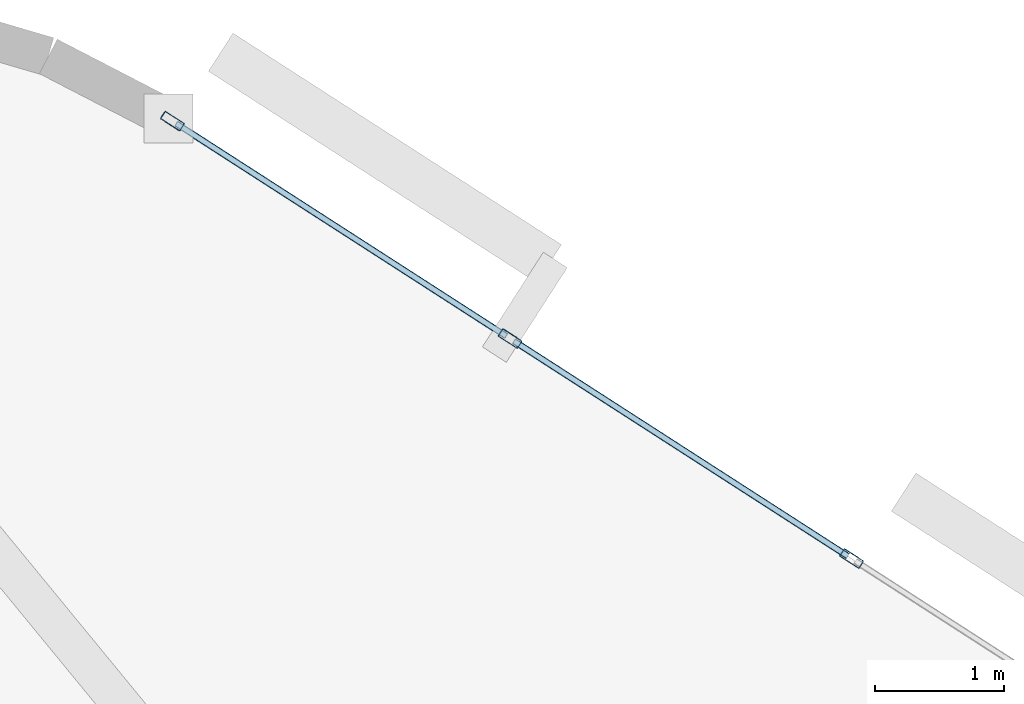
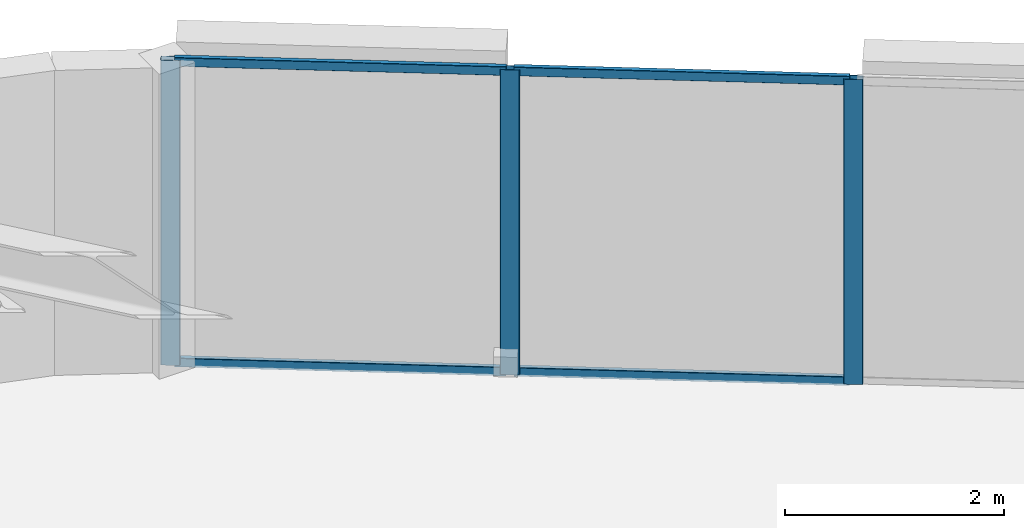
# One storey, part 8 of 15: 7 members, 1 element without a shape of its own.
"""IFC4 building model written with IfcOpenShell, lengths in metres."""

from ifc_helpers import new_model, si_unit, direction, frame, origin, origin_2d, place, context, subcontext, project, spatial, hollow_rectangle, extrude, material, layer, layer_set, material_profile, profile_set, type_object, element, aggregate, save


model = new_model("IFC4")

# Units and contexts
model_context = context("Model", 3, precision=1e-05, world=origin(), true_north=direction((0.0, 1.0)))
body_context = subcontext(model_context, "Body", "Model", "MODEL_VIEW")
ifc_project = project(units=[si_unit("LENGTHUNIT", "METRE"), si_unit("AREAUNIT", "SQUARE_METRE"), si_unit("VOLUMEUNIT", "CUBIC_METRE"), si_unit("PLANEANGLEUNIT", "RADIAN"), si_unit("MASSUNIT", "GRAM", prefix="KILO")], contexts=[model_context])

# Site, building, storey
site_placement = place(None, origin())
site = spatial("IfcSite", under=ifc_project, at=site_placement, CompositionType="ELEMENT")
building_placement = place(site_placement, origin())
building = spatial("IfcBuilding", under=site, at=building_placement, Name="An Khanh Terracotta Commons", CompositionType="ELEMENT")
storey_placement = place(building_placement, frame((0.0, 0.0, 179.800048828125)))
storey = spatial("IfcBuildingStorey", under=building, at=storey_placement, Name="L47", CompositionType="ELEMENT", Elevation=179.800048828125)

# Curtain wall, members
ifc_material = material(Name="Anodised Aluminium 6063-T6", Category="aluminium")
ifc_layer = layer(ifc_material, 0.2099609375, Name="Anodised Aluminium 6063-T6")
ifc_layer_set = layer_set([ifc_layer], Name="Anodised Aluminium 6063-T6")
curtain_wall_type = type_object("IfcCurtainWallType", Name="CW-SYS-03", PredefinedType="USERDEFINED", material=ifc_layer_set)
curtain_wall_placement = place(storey_placement, origin())
curtain_wall = element("IfcCurtainWall", 1, at=curtain_wall_placement, inside=storey, type_object=curtain_wall_type, Name="L47 CW-03 Unitised Curtain Wall CW-L47-16", ObjectType="UNITISED CURTAIN WALL", PredefinedType="USERDEFINED")
ifc_material_profile_1 = material_profile(ifc_material, hollow_rectangle(XDim=0.070068359375, YDim=0.179931640625, WallThickness=0.00390625, InnerFilletRadius=0.00390625, OuterFilletRadius=0.008056640625, at=origin_2d()), Name="RHS180x70x4")
ifc_profile_set_1 = profile_set([ifc_material_profile_1], Name="Anodised Aluminium 6063-T6")
member_type_1 = type_object("IfcMemberType", Name="CWM-RHS180x70x4", PredefinedType="MULLION", material=ifc_profile_set_1)
member_1_placement = place(storey_placement, frame((57.838623046875, 37.52392578125, 0.0), z_axis=(0.0, 0.0, 1.0), x_axis=(-0.541497931062, -0.840702081986, 0.0)))
member_1 = element("IfcMember", 2, at=member_1_placement, type_object=member_type_1, Name="CW-03 mullion 2", PredefinedType="MULLION", context=body_context, shape_type="SweptSolid", body=[
    extrude(hollow_rectangle(XDim=0.070068359375, YDim=0.179931640625, WallThickness=0.00390625, InnerFilletRadius=0.00390625, OuterFilletRadius=0.008056640625, at=origin_2d()), origin(), (0.0, 0.0, 1.0), 3.39990234375),
])
member_2_placement = place(storey_placement, frame((55.19921875, 39.22412109375, 0.0), z_axis=(0.0, 0.0, 1.0), x_axis=(-0.541497931062, -0.840702081986, 0.0)))
member_2 = element("IfcMember", 3, at=member_2_placement, type_object=member_type_1, Name="CW-03 mullion 3", PredefinedType="MULLION", context=body_context, shape_type="SweptSolid", body=[
    extrude(hollow_rectangle(XDim=0.070068359375, YDim=0.179931640625, WallThickness=0.00390625, InnerFilletRadius=0.00390625, OuterFilletRadius=0.008056640625, at=origin_2d()), origin(), (0.0, 0.0, 1.0), 3.39990234375),
])
member_3_placement = place(storey_placement, frame((52.58935546875, 40.905029296875, 0.0), z_axis=(0.0, 0.0, 1.0), x_axis=(-0.541497931062, -0.840702081986, 0.0)))
member_3 = element("IfcMember", 4, at=member_3_placement, type_object=member_type_1, Name="CW-03 mullion 4", PredefinedType="MULLION", context=body_context, shape_type="SweptSolid", body=[
    extrude(hollow_rectangle(XDim=0.070068359375, YDim=0.179931640625, WallThickness=0.00390625, InnerFilletRadius=0.00390625, OuterFilletRadius=0.008056640625, at=origin_2d()), origin(), (0.0, 0.0, 1.0), 3.39990234375),
])
ifc_material_profile_2 = material_profile(ifc_material, hollow_rectangle(XDim=0.050048828125, YDim=0.10009765625, WallThickness=0.003173828125, InnerFilletRadius=0.003173828125, OuterFilletRadius=0.00634765625, at=origin_2d()), Name="RHS100x50x3.2")
ifc_profile_set_2 = profile_set([ifc_material_profile_2], Name="Anodised Aluminium 6063-T6")
member_type_2 = type_object("IfcMemberType", Name="CWT-RHS100x50x3.2", PredefinedType="USERDEFINED", material=ifc_profile_set_2)
member_4_placement = place(storey_placement, frame((57.809326171875, 37.54296875, 0.02490234375), z_axis=(-0.840707825526, 0.54148901383, 0.0), x_axis=(-0.54148901383, -0.840707825526, 0.0)))
member_4 = element("IfcMember", 5, at=member_4_placement, type_object=member_type_2, Name="CW-03 transom 2.1", ObjectType="TRANSOM", PredefinedType="USERDEFINED", context=body_context, shape_type="SweptSolid", body=[
    extrude(hollow_rectangle(XDim=0.050048828125, YDim=0.10009765625, WallThickness=0.003173828125, InnerFilletRadius=0.003173828125, OuterFilletRadius=0.00634765625, at=origin_2d()), origin(), (0.0, 0.0, 1.0), 3.069580078125),
])
member_5_placement = place(storey_placement, frame((57.809326171875, 37.54296875, 3.375), z_axis=(-0.840707825526, 0.54148901383, 0.0), x_axis=(-0.54148901383, -0.840707825526, 0.0)))
member_5 = element("IfcMember", 6, at=member_5_placement, type_object=member_type_2, Name="CW-03 transom 2.2", ObjectType="TRANSOM", PredefinedType="USERDEFINED", context=body_context, shape_type="SweptSolid", body=[
    extrude(hollow_rectangle(XDim=0.050048828125, YDim=0.10009765625, WallThickness=0.003173828125, InnerFilletRadius=0.003173828125, OuterFilletRadius=0.00634765625, at=origin_2d()), origin(), (0.0, 0.0, 1.0), 3.069580078125),
])
member_6_placement = place(storey_placement, frame((55.169921875, 39.242919921875, 0.02490234375), z_axis=(-0.840710223453, 0.541485290826, 0.0), x_axis=(-0.541485290826, -0.840710223453, 0.0)))
member_6 = element("IfcMember", 7, at=member_6_placement, type_object=member_type_2, Name="CW-03 transom 3.1", ObjectType="TRANSOM", PredefinedType="USERDEFINED", context=body_context, shape_type="SweptSolid", body=[
    extrude(hollow_rectangle(XDim=0.050048828125, YDim=0.10009765625, WallThickness=0.003173828125, InnerFilletRadius=0.003173828125, OuterFilletRadius=0.00634765625, at=origin_2d()), origin(), (0.0, 0.0, 1.0), 3.034423828125),
])
member_7_placement = place(storey_placement, frame((55.169921875, 39.242919921875, 3.375), z_axis=(-0.840710223453, 0.541485290826, 0.0), x_axis=(-0.541485290826, -0.840710223453, 0.0)))
member_7 = element("IfcMember", 8, at=member_7_placement, type_object=member_type_2, Name="CW-03 transom 3.2", ObjectType="TRANSOM", PredefinedType="USERDEFINED", context=body_context, shape_type="SweptSolid", body=[
    extrude(hollow_rectangle(XDim=0.050048828125, YDim=0.10009765625, WallThickness=0.003173828125, InnerFilletRadius=0.003173828125, OuterFilletRadius=0.00634765625, at=origin_2d()), origin(), (0.0, 0.0, 1.0), 3.034423828125),
])
aggregate(curtain_wall, [member_1, member_2, member_3, member_4, member_5, member_6, member_7])

save(model, "model.ifc")
